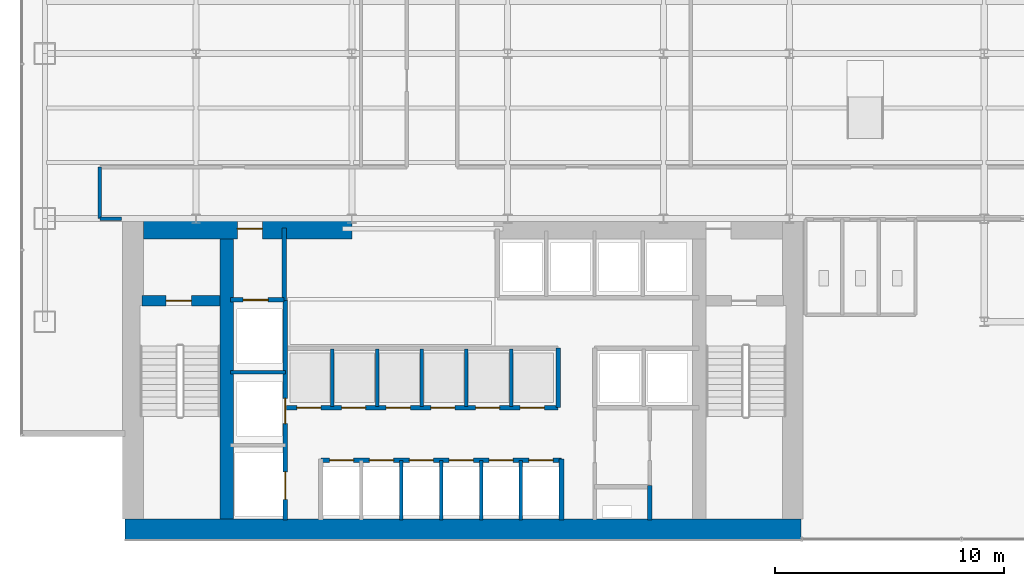
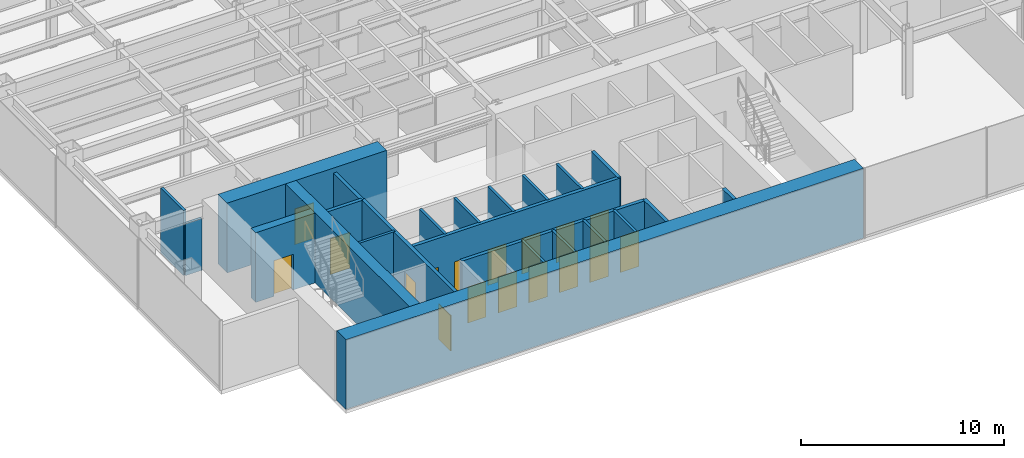
# One storey, part 28 of 35: 24 walls, 17 doors, 17 openings.
"""IFC4 building model written with IfcOpenShell, lengths in metres."""

from ifc_helpers import new_model, si_unit, derived_unit, direction, frame, frame_2d, origin, place, context, subcontext, project, spatial, rectangle, extrude, source, transform, mapped, material, layer, layer_set, type_object, element, fill, save


model = new_model("IFC4")

# Units and contexts
model_context = context("Model", 3, precision=1e-05, world=origin(), true_north=direction((0.0, 1.0)))
body_context = subcontext(model_context, "Body", "Model", "MODEL_VIEW")
ifc_project = project(units=[si_unit("LENGTHUNIT", "METRE"), si_unit("AREAUNIT", "SQUARE_METRE"), si_unit("VOLUMEUNIT", "CUBIC_METRE"), si_unit("PLANEANGLEUNIT", "RADIAN"), si_unit("MASSUNIT", "GRAM", prefix="KILO"), derived_unit("THERMALTRANSMITTANCEUNIT", [(si_unit("POWERUNIT", "WATT"), 1), (si_unit("LENGTHUNIT", "METRE"), -2), (si_unit("THERMODYNAMICTEMPERATUREUNIT", "KELVIN"), -1)])], contexts=[model_context])

# Site, building, storey
site_placement = place(None, origin())
site = spatial("IfcSite", under=ifc_project, at=site_placement, CompositionType="ELEMENT")
building_placement = place(site_placement, origin())
building = spatial("IfcBuilding", under=site, at=building_placement, Name="Skarnbrae Concourse Arena and Tower", CompositionType="ELEMENT")
storey_placement = place(building_placement, frame((0.0, 0.0, 79.949951171875)))
storey = spatial("IfcBuildingStorey", under=building, at=storey_placement, Name="L19", CompositionType="ELEMENT", Elevation=79.949951171875)

# Wall
ifc_material_1 = material(Name="Concrete 70 MPa (C70/85)", Category="concrete")
ifc_layer_1 = layer(ifc_material_1, 0.89990234375)
ifc_layer_set_1 = layer_set([ifc_layer_1], Name="Concrete 70 MPa (C70/85)")
wall_type_1 = type_object("IfcWallType", Name="WALL-CORE-900-C70", PredefinedType="SHEAR", material=ifc_layer_set_1)
shared_shape_1 = source(origin(), body_context, "Body", "SweptSolid", [
    extrude(rectangle(XDim=29.5, YDim=0.89990234375, at=frame_2d((14.75, 0.0))), origin(), (0.0, 0.0, 1.0), 4.199951171875),
])
wall_1_placement = place(storey_placement, frame((4.5, 0.449951171875, 0.0), z_axis=(0.0, 0.0, 1.0), x_axis=(1.0, 0.0, 0.0)))
element("IfcWall", 1, at=wall_1_placement, inside=storey, type_object=wall_type_1, Name="L19 Rear core shear wall CW-S", PredefinedType="SHEAR", context=body_context, shape_type="MappedRepresentation", body=[
    mapped(shared_shape_1, transform((0.0, 0.0, 0.0))),
])

# Wall, opening, door
shared_shape_2 = source(origin(), body_context, "Body", "SweptSolid", [
    extrude(rectangle(XDim=9.099853515625, YDim=0.89990234375, at=frame_2d((4.5498046875, 0.0))), origin(), (0.0, 0.0, 1.0), 4.199951171875),
])
wall_2_placement = place(storey_placement, frame((5.300048828125, 13.550048828125, 0.0), z_axis=(0.0, 0.0, 1.0), x_axis=(1.0, 0.0, 0.0)))
wall_2 = element("IfcWall", 2, at=wall_2_placement, inside=storey, type_object=wall_type_1, Name="L19 Rear core shear wall CW-NW", PredefinedType="SHEAR", context=body_context, shape_type="MappedRepresentation", body=[
    mapped(shared_shape_2, transform((0.0, 0.0, 0.0))),
])
opening_1_placement = place(wall_2_placement, frame((4.10009765625, 0.0, 0.0)))
opening_1 = element("IfcOpeningElement", 3, at=opening_1_placement, cuts=wall_2, Name="Opening DT-03", PredefinedType="OPENING", context=body_context, shape_type="SweptSolid", body=[
    extrude(rectangle(XDim=1.10009765625, YDim=2.14990234375, at=frame_2d((0.550048828125, 1.074951171875))), frame((0.0, 0.4599609375, 0.0), z_axis=(0.0, -1.0, 0.0), x_axis=(1.0, 0.0, 0.0)), (0.0, 0.0, 1.0), 0.919921875),
])
ifc_material_2 = material(Name="Steel CSA G40.21 350W", Category="steel")
door_type_1 = type_object("IfcDoorType", Name="DOOR-FIRE-1100-90M", OperationType="NOTDEFINED", PredefinedType="DOOR", material=ifc_material_2)
shared_shape_3 = source(origin(), body_context, "Body", "SweptSolid", [
    extrude(rectangle(XDim=1.10009765625, YDim=2.14990234375, at=frame_2d((0.550048828125, 1.074951171875))), frame((0.0, 0.02490234375, 0.0), z_axis=(0.0, -1.0, 0.0), x_axis=(1.0, 0.0, 0.0)), (0.0, 0.0, 1.0), 0.050048828125),
])
door_1_placement = place(opening_1_placement, origin())
door_1 = element("IfcDoor", 4, at=door_1_placement, inside=storey, type_object=door_type_1, Name="D-0689 Firefighting Lobby Exit Door", OperationType="SINGLE_SWING_RIGHT", OverallHeight=2.14990234375, OverallWidth=1.10009765625, PredefinedType="DOOR", context=body_context, shape_type="MappedRepresentation", body=[
    mapped(shared_shape_3, transform((0.0, 0.0, 0.0))),
])
fill(opening_1, door_1)

# Wall
ifc_layer_2 = layer(ifc_material_1, 0.60009765625)
ifc_layer_set_2 = layer_set([ifc_layer_2], Name="Concrete 70 MPa (C70/85)")
wall_type_2 = type_object("IfcWallType", Name="WALL-CORE-600-C70", PredefinedType="SHEAR", material=ifc_layer_set_2)
shared_shape_4 = source(origin(), body_context, "Body", "SweptSolid", [
    extrude(rectangle(XDim=12.2001953125, YDim=0.60009765625, at=frame_2d((6.10009765625, 0.0))), origin(), (0.0, 0.0, 1.0), 4.199951171875),
])
wall_3_placement = place(storey_placement, frame((8.93994140625, 0.89990234375, 0.0), z_axis=(0.0, 0.0, 1.0), x_axis=(0.0, 1.0, 0.0)))
element("IfcWall", 5, at=wall_3_placement, inside=storey, type_object=wall_type_2, Name="L19 Rear core shear wall CW-WEB-W", PredefinedType="SHEAR", context=body_context, shape_type="MappedRepresentation", body=[
    mapped(shared_shape_4, transform((0.0, 0.0, 0.0))),
])

# Wall, opening, door
ifc_material_3 = material(Name="Concrete 50 MPa (C50/60)", Category="concrete")
ifc_layer_3 = layer(ifc_material_3, 0.449951171875)
ifc_layer_set_3 = layer_set([ifc_layer_3], Name="Concrete 50 MPa (C50/60)")
wall_type_3 = type_object("IfcWallType", Name="WALL-CORE-450-C50", PredefinedType="SHEAR", material=ifc_layer_set_3)
shared_shape_5 = source(origin(), body_context, "Body", "SweptSolid", [
    extrude(rectangle(XDim=3.389892578125, YDim=0.449951171875, at=frame_2d((1.69482421875, 0.0))), origin(), (0.0, 0.0, 1.0), 4.199951171875),
])
wall_4_placement = place(storey_placement, frame((5.25, 10.419921875, 0.0), z_axis=(0.0, 0.0, 1.0), x_axis=(1.0, 0.0, 0.0)))
wall_4 = element("IfcWall", 6, at=wall_4_placement, inside=storey, type_object=wall_type_3, Name="L19 Rear core shear wall CW-ST1-N", PredefinedType="SHEAR", context=body_context, shape_type="MappedRepresentation", body=[
    mapped(shared_shape_5, transform((0.0, 0.0, 0.0))),
])
opening_2_placement = place(wall_4_placement, frame((1.050048828125, 0.0, 0.0)))
opening_2 = element("IfcOpeningElement", 7, at=opening_2_placement, cuts=wall_4, Name="Opening DT-03", PredefinedType="OPENING", context=body_context, shape_type="SweptSolid", body=[
    extrude(rectangle(XDim=1.10009765625, YDim=2.14990234375, at=frame_2d((0.550048828125, 1.074951171875))), frame((0.0, 0.23486328125, 0.0), z_axis=(0.0, -1.0, 0.0), x_axis=(1.0, 0.0, 0.0)), (0.0, 0.0, 1.0), 0.469970703125),
])
door_2_placement = place(opening_2_placement, frame((1.10009765625, 0.0, 0.0), z_axis=(0.0, 0.0, 1.0), x_axis=(-1.0, 0.0, 0.0)))
door_2 = element("IfcDoor", 8, at=door_2_placement, inside=storey, type_object=door_type_1, Name="D-0687 Stair ST-1 Door", OperationType="SINGLE_SWING_LEFT", OverallHeight=2.14990234375, OverallWidth=1.10009765625, PredefinedType="DOOR", context=body_context, shape_type="MappedRepresentation", body=[
    mapped(shared_shape_3, transform((0.0, 0.0, 0.0))),
])
fill(opening_2, door_2)

# Wall
ifc_material_4 = material(Name="Gypsum board on cold-formed steel studs", Category="steel")
ifc_layer_4 = layer(ifc_material_4, 0.199951171875)
ifc_layer_set_4 = layer_set([ifc_layer_4], Name="Gypsum board on cold-formed steel studs")
wall_type_4 = type_object("IfcWallType", Name="WALL-PART-200-2HR", PredefinedType="PARTITIONING", material=ifc_layer_set_4)
shared_shape_6 = source(origin(), body_context, "Body", "SweptSolid", [
    extrude(rectangle(XDim=3.18017578125, YDim=0.199951171875, at=frame_2d((1.590087890625, 0.0))), origin(), (0.0, 0.0, 1.0), 3.900146484375),
])
wall_5_placement = place(storey_placement, frame((11.449951171875, 10.419921875, 0.0), z_axis=(0.0, 0.0, 1.0), x_axis=(0.0, 1.0, 0.0)))
element("IfcWall", 9, at=wall_5_placement, inside=storey, type_object=wall_type_4, Name="L19 Interior partition wall W-L19-FFL-E", PredefinedType="PARTITIONING", context=body_context, shape_type="MappedRepresentation", body=[
    mapped(shared_shape_6, transform((0.0, 0.0, 0.0))),
])

# Wall, opening, door
shared_shape_7 = source(origin(), body_context, "Body", "SweptSolid", [
    extrude(rectangle(XDim=2.349853515625, YDim=0.199951171875, at=frame_2d((1.1748046875, 0.0))), origin(), (0.0, 0.0, 1.0), 3.900146484375),
])
wall_6_placement = place(storey_placement, frame((9.10009765625, 10.449951171875, 0.0), z_axis=(0.0, 0.0, 1.0), x_axis=(1.0, 0.0, 0.0)))
wall_6 = element("IfcWall", 10, at=wall_6_placement, inside=storey, type_object=wall_type_4, Name="L19 Interior partition wall W-L19-FL1-N", PredefinedType="PARTITIONING", context=body_context, shape_type="MappedRepresentation", body=[
    mapped(shared_shape_7, transform((0.0, 0.0, 0.0))),
])
opening_3_placement = place(wall_6_placement, frame((0.550048828125, 0.0, 0.0)))
opening_3 = element("IfcOpeningElement", 11, at=opening_3_placement, cuts=wall_6, Name="Opening LD-01", PredefinedType="OPENING", context=body_context, shape_type="SweptSolid", body=[
    extrude(rectangle(XDim=1.10009765625, YDim=2.14990234375, at=frame_2d((0.550048828125, 1.074951171875))), frame((0.0, 0.10986328125, 0.0), z_axis=(0.0, -1.0, 0.0), x_axis=(1.0, 0.0, 0.0)), (0.0, 0.0, 1.0), 0.219970703125),
])
door_type_2 = type_object("IfcDoorType", Name="DOOR-LIFT-SLIDE-1100", OperationType="SLIDING_TO_LEFT", PredefinedType="DOOR", material=ifc_material_2)
door_3_placement = place(opening_3_placement, origin())
door_3 = element("IfcDoor", 12, at=door_3_placement, inside=storey, type_object=door_type_2, Name="D-0691 Firefighting Lift Landing Door FL-01", OperationType="SLIDING_TO_LEFT", OverallHeight=2.14990234375, OverallWidth=1.10009765625, PredefinedType="DOOR", context=body_context, shape_type="MappedRepresentation", body=[
    mapped(shared_shape_3, transform((0.0, 0.0, 0.0))),
])
fill(opening_3, door_3)

# Wall, openings, doors
shared_shape_8 = source(origin(), body_context, "Body", "SweptSolid", [
    extrude(rectangle(XDim=9.599853515625, YDim=0.199951171875, at=frame_2d((4.7998046875, 0.0))), origin(), (0.0, 0.0, 1.0), 3.900146484375),
])
wall_7_placement = place(storey_placement, frame((11.5, 0.85009765625, 0.0), z_axis=(0.0, 0.0, 1.0), x_axis=(0.0, 1.0, 0.0)))
wall_7 = element("IfcWall", 13, at=wall_7_placement, inside=storey, type_object=wall_type_4, Name="L19 Interior partition wall W-L19-FL-E", PredefinedType="PARTITIONING", context=body_context, shape_type="MappedRepresentation", body=[
    mapped(shared_shape_8, transform((0.0, 0.0, 0.0))),
])
opening_4_placement = place(wall_7_placement, frame((4.199951171875, 0.0, 0.0)))
opening_4 = element("IfcOpeningElement", 14, at=opening_4_placement, cuts=wall_7, Name="Opening LD-01", PredefinedType="OPENING", context=body_context, shape_type="SweptSolid", body=[
    extrude(rectangle(XDim=1.10009765625, YDim=2.14990234375, at=frame_2d((0.550048828125, 1.074951171875))), frame((0.0, 0.10986328125, 0.0), z_axis=(0.0, -1.0, 0.0), x_axis=(1.0, 0.0, 0.0)), (0.0, 0.0, 1.0), 0.219970703125),
])
opening_5_placement = place(wall_7_placement, frame((0.89990234375, 0.0, 0.0)))
opening_5 = element("IfcOpeningElement", 15, at=opening_5_placement, cuts=wall_7, Name="Opening LD-02", PredefinedType="OPENING", context=body_context, shape_type="SweptSolid", body=[
    extrude(rectangle(XDim=1.199951171875, YDim=2.14990234375, at=frame_2d((0.60009765625, 1.074951171875))), frame((0.0, 0.10986328125, 0.0), z_axis=(0.0, -1.0, 0.0), x_axis=(1.0, 0.0, 0.0)), (0.0, 0.0, 1.0), 0.219970703125),
])
door_4_placement = place(opening_4_placement, frame((1.10009765625, 0.0, 0.0), z_axis=(0.0, 0.0, 1.0), x_axis=(-1.0, 0.0, 0.0)))
door_4 = element("IfcDoor", 16, at=door_4_placement, inside=storey, type_object=door_type_2, Name="D-0692 Firefighting Lift Landing Door FL-02", OperationType="SLIDING_TO_LEFT", OverallHeight=2.14990234375, OverallWidth=1.10009765625, PredefinedType="DOOR", context=body_context, shape_type="MappedRepresentation", body=[
    mapped(shared_shape_3, transform((0.0, 0.0, 0.0))),
])
fill(opening_4, door_4)
door_type_3 = type_object("IfcDoorType", Name="DOOR-LIFT-SLIDE-1200", OperationType="SLIDING_TO_LEFT", PredefinedType="DOOR", material=ifc_material_2)
shared_shape_9 = source(origin(), body_context, "Body", "SweptSolid", [
    extrude(rectangle(XDim=1.199951171875, YDim=2.14990234375, at=frame_2d((0.60009765625, 1.074951171875))), frame((0.0, 0.02490234375, 0.0), z_axis=(0.0, -1.0, 0.0), x_axis=(1.0, 0.0, 0.0)), (0.0, 0.0, 1.0), 0.050048828125),
])
door_5_placement = place(opening_5_placement, frame((1.199951171875, 0.0, 0.0), z_axis=(0.0, 0.0, 1.0), x_axis=(-1.0, 0.0, 0.0)))
door_5 = element("IfcDoor", 17, at=door_5_placement, inside=storey, type_object=door_type_3, Name="D-0693 Service Lift Landing Door SV-01", OperationType="SLIDING_TO_LEFT", OverallHeight=2.14990234375, OverallWidth=1.199951171875, PredefinedType="DOOR", context=body_context, shape_type="MappedRepresentation", body=[
    mapped(shared_shape_9, transform((0.0, 0.0, 0.0))),
])
fill(opening_5, door_5)

# Walls
ifc_layer_5 = layer(ifc_material_4, 0.14990234375)
ifc_layer_set_5 = layer_set([ifc_layer_5], Name="Gypsum board on cold-formed steel studs")
wall_type_5 = type_object("IfcWallType", Name="WALL-PART-150", PredefinedType="PARTITIONING", material=ifc_layer_set_5)
shared_shape_10 = source(origin(), body_context, "Body", "SweptSolid", [
    extrude(rectangle(XDim=2.39990234375, YDim=0.14990234375, at=frame_2d((1.199951171875, 0.0))), origin(), (0.0, 0.0, 1.0), 3.900146484375),
])
wall_8_placement = place(storey_placement, frame((9.10009765625, 7.300048828125, 0.0), z_axis=(0.0, 0.0, 1.0), x_axis=(1.0, 0.0, 0.0)))
element("IfcWall", 18, at=wall_8_placement, inside=storey, type_object=wall_type_5, Name="L19 Interior partition wall W-L19-FL-D2", PredefinedType="PARTITIONING", context=body_context, shape_type="MappedRepresentation", body=[
    mapped(shared_shape_10, transform((0.0, 0.0, 0.0))),
])
shared_shape_11 = source(origin(), body_context, "Body", "SweptSolid", [
    extrude(rectangle(XDim=2.64990234375, YDim=0.199951171875, at=frame_2d((1.324951171875, 0.0))), origin(), (0.0, 0.0, 1.0), 3.900146484375),
])
wall_9_placement = place(storey_placement, frame((23.550048828125, 0.85009765625, 0.0), z_axis=(0.0, 0.0, 1.0), x_axis=(0.0, 1.0, 0.0)))
element("IfcWall", 19, at=wall_9_placement, inside=storey, type_object=wall_type_4, Name="L19 Interior partition wall W-L19-B1-E", PredefinedType="PARTITIONING", context=body_context, shape_type="MappedRepresentation", body=[
    mapped(shared_shape_11, transform((0.0, 0.0, 0.0))),
])

# Wall, openings, doors
shared_shape_12 = source(origin(), body_context, "Body", "SweptSolid", [
    extrude(rectangle(XDim=10.5, YDim=0.199951171875, at=frame_2d((5.25, 0.0))), origin(), (0.0, 0.0, 1.0), 3.900146484375),
])
wall_10_placement = place(storey_placement, frame((13.050048828125, 3.449951171875, 0.0), z_axis=(0.0, 0.0, 1.0), x_axis=(1.0, 0.0, 0.0)))
wall_10 = element("IfcWall", 20, at=wall_10_placement, inside=storey, type_object=wall_type_4, Name="L19 Interior partition wall W-L19-B1-N", PredefinedType="PARTITIONING", context=body_context, shape_type="MappedRepresentation", body=[
    mapped(shared_shape_12, transform((0.0, 0.0, 0.0))),
])
opening_6_placement = place(wall_10_placement, frame((0.3798828125, 0.0, 0.0)))
opening_6 = element("IfcOpeningElement", 21, at=opening_6_placement, cuts=wall_10, Name="Opening LD-03", PredefinedType="OPENING", context=body_context, shape_type="SweptSolid", body=[
    extrude(rectangle(XDim=1.050048828125, YDim=2.14990234375, at=frame_2d((0.52490234375, 1.074951171875))), frame((0.0, 0.10986328125, 0.0), z_axis=(0.0, -1.0, 0.0), x_axis=(1.0, 0.0, 0.0)), (0.0, 0.0, 1.0), 0.219970703125),
])
opening_7_placement = place(wall_10_placement, frame((2.1201171875, 0.0, 0.0)))
opening_7 = element("IfcOpeningElement", 22, at=opening_7_placement, cuts=wall_10, Name="Opening LD-03", PredefinedType="OPENING", context=body_context, shape_type="SweptSolid", body=[
    extrude(rectangle(XDim=1.050048828125, YDim=2.14990234375, at=frame_2d((0.52490234375, 1.074951171875))), frame((0.0, 0.10986328125, 0.0), z_axis=(0.0, -1.0, 0.0), x_axis=(1.0, 0.0, 0.0)), (0.0, 0.0, 1.0), 0.219970703125),
])
opening_8_placement = place(wall_10_placement, frame((3.860107421875, 0.0, 0.0)))
opening_8 = element("IfcOpeningElement", 23, at=opening_8_placement, cuts=wall_10, Name="Opening LD-03", PredefinedType="OPENING", context=body_context, shape_type="SweptSolid", body=[
    extrude(rectangle(XDim=1.050048828125, YDim=2.14990234375, at=frame_2d((0.52490234375, 1.074951171875))), frame((0.0, 0.10986328125, 0.0), z_axis=(0.0, -1.0, 0.0), x_axis=(1.0, 0.0, 0.0)), (0.0, 0.0, 1.0), 0.219970703125),
])
opening_9_placement = place(wall_10_placement, frame((5.60009765625, 0.0, 0.0)))
opening_9 = element("IfcOpeningElement", 24, at=opening_9_placement, cuts=wall_10, Name="Opening LD-03", PredefinedType="OPENING", context=body_context, shape_type="SweptSolid", body=[
    extrude(rectangle(XDim=1.050048828125, YDim=2.14990234375, at=frame_2d((0.52490234375, 1.074951171875))), frame((0.0, 0.10986328125, 0.0), z_axis=(0.0, -1.0, 0.0), x_axis=(1.0, 0.0, 0.0)), (0.0, 0.0, 1.0), 0.219970703125),
])
opening_10_placement = place(wall_10_placement, frame((7.340087890625, 0.0, 0.0)))
opening_10 = element("IfcOpeningElement", 25, at=opening_10_placement, cuts=wall_10, Name="Opening LD-03", PredefinedType="OPENING", context=body_context, shape_type="SweptSolid", body=[
    extrude(rectangle(XDim=1.050048828125, YDim=2.14990234375, at=frame_2d((0.52490234375, 1.074951171875))), frame((0.0, 0.10986328125, 0.0), z_axis=(0.0, -1.0, 0.0), x_axis=(1.0, 0.0, 0.0)), (0.0, 0.0, 1.0), 0.219970703125),
])
opening_11_placement = place(wall_10_placement, frame((9.080078125, 0.0, 0.0)))
opening_11 = element("IfcOpeningElement", 26, at=opening_11_placement, cuts=wall_10, Name="Opening LD-03", PredefinedType="OPENING", context=body_context, shape_type="SweptSolid", body=[
    extrude(rectangle(XDim=1.050048828125, YDim=2.14990234375, at=frame_2d((0.52490234375, 1.074951171875))), frame((0.0, 0.10986328125, 0.0), z_axis=(0.0, -1.0, 0.0), x_axis=(1.0, 0.0, 0.0)), (0.0, 0.0, 1.0), 0.219970703125),
])
ifc_material_5 = material(Name="Bronze anodised aluminium 6063-T6", Category="aluminium")
door_type_4 = type_object("IfcDoorType", Name="DOOR-LIFT-SLIDE-1050", OperationType="SLIDING_TO_LEFT", PredefinedType="DOOR", material=ifc_material_5)
shared_shape_13 = source(origin(), body_context, "Body", "SweptSolid", [
    extrude(rectangle(XDim=1.050048828125, YDim=2.14990234375, at=frame_2d((0.52490234375, 1.074951171875))), frame((0.0, 0.02490234375, 0.0), z_axis=(0.0, -1.0, 0.0), x_axis=(1.0, 0.0, 0.0)), (0.0, 0.0, 1.0), 0.050048828125),
])
door_6_placement = place(opening_6_placement, origin())
door_6 = element("IfcDoor", 27, at=door_6_placement, inside=storey, type_object=door_type_4, Name="D-0694 Passenger Lift Landing Door PL-1A", OperationType="SLIDING_TO_LEFT", OverallHeight=2.14990234375, OverallWidth=1.050048828125, PredefinedType="DOOR", context=body_context, shape_type="MappedRepresentation", body=[
    mapped(shared_shape_13, transform((0.0, 0.0, 0.0))),
])
fill(opening_6, door_6)
door_7_placement = place(opening_7_placement, origin())
door_7 = element("IfcDoor", 28, at=door_7_placement, inside=storey, type_object=door_type_4, Name="D-0695 Passenger Lift Landing Door PL-1B", OperationType="SLIDING_TO_LEFT", OverallHeight=2.14990234375, OverallWidth=1.050048828125, PredefinedType="DOOR", context=body_context, shape_type="MappedRepresentation", body=[
    mapped(shared_shape_13, transform((0.0, 0.0, 0.0))),
])
fill(opening_7, door_7)
door_8_placement = place(opening_8_placement, origin())
door_8 = element("IfcDoor", 29, at=door_8_placement, inside=storey, type_object=door_type_4, Name="D-0696 Passenger Lift Landing Door PL-1C", OperationType="SLIDING_TO_LEFT", OverallHeight=2.14990234375, OverallWidth=1.050048828125, PredefinedType="DOOR", context=body_context, shape_type="MappedRepresentation", body=[
    mapped(shared_shape_13, transform((0.0, 0.0, 0.0))),
])
fill(opening_8, door_8)
door_9_placement = place(opening_9_placement, origin())
door_9 = element("IfcDoor", 30, at=door_9_placement, inside=storey, type_object=door_type_4, Name="D-0697 Passenger Lift Landing Door PL-1D", OperationType="SLIDING_TO_LEFT", OverallHeight=2.14990234375, OverallWidth=1.050048828125, PredefinedType="DOOR", context=body_context, shape_type="MappedRepresentation", body=[
    mapped(shared_shape_13, transform((0.0, 0.0, 0.0))),
])
fill(opening_9, door_9)
door_10_placement = place(opening_10_placement, origin())
door_10 = element("IfcDoor", 31, at=door_10_placement, inside=storey, type_object=door_type_4, Name="D-0698 Passenger Lift Landing Door PL-1E", OperationType="SLIDING_TO_LEFT", OverallHeight=2.14990234375, OverallWidth=1.050048828125, PredefinedType="DOOR", context=body_context, shape_type="MappedRepresentation", body=[
    mapped(shared_shape_13, transform((0.0, 0.0, 0.0))),
])
fill(opening_10, door_10)
door_11_placement = place(opening_11_placement, origin())
door_11 = element("IfcDoor", 32, at=door_11_placement, inside=storey, type_object=door_type_4, Name="D-0699 Passenger Lift Landing Door PL-1F", OperationType="SLIDING_TO_LEFT", OverallHeight=2.14990234375, OverallWidth=1.050048828125, PredefinedType="DOOR", context=body_context, shape_type="MappedRepresentation", body=[
    mapped(shared_shape_13, transform((0.0, 0.0, 0.0))),
])
fill(opening_11, door_11)

# Walls
shared_shape_14 = source(origin(), body_context, "Body", "SweptSolid", [
    extrude(rectangle(XDim=2.599853515625, YDim=0.14990234375, at=frame_2d((1.2998046875, 0.0))), origin(), (0.0, 0.0, 1.0), 3.900146484375),
])
for number, where, z_axis, x_axis, name in (
    (33, (16.56005859375, 0.85009765625, 0.0), (0.0, 0.0, 1.0), (0.0, 1.0, 0.0), "L19 Interior partition wall W-L19-B1-P2"),
    (34, (18.300048828125, 0.85009765625, 0.0), (0.0, 0.0, 1.0), (0.0, 1.0, 0.0), "L19 Interior partition wall W-L19-B1-P3"),
    (35, (20.0400390625, 0.85009765625, 0.0), (0.0, 0.0, 1.0), (0.0, 1.0, 0.0), "L19 Interior partition wall W-L19-B1-P4"),
    (36, (21.780029296875, 0.85009765625, 0.0), (0.0, 0.0, 1.0), (0.0, 1.0, 0.0), "L19 Interior partition wall W-L19-B1-P5"),
):
    element("IfcWall", number, at=place(storey_placement, frame(where, z_axis=z_axis, x_axis=x_axis)), inside=storey, type_object=wall_type_5, Name=name, PredefinedType="PARTITIONING", context=body_context, shape_type="MappedRepresentation", body=[
        mapped(shared_shape_14, transform((0.0, 0.0, 0.0))),
    ])

# Wall, openings, doors
shared_shape_15 = source(origin(), body_context, "Body", "SweptSolid", [
    extrude(rectangle(XDim=11.849853515625, YDim=0.199951171875, at=frame_2d((5.9248046875, 0.0))), origin(), (0.0, 0.0, 1.0), 3.900146484375),
])
wall_11_placement = place(storey_placement, frame((11.550048828125, 5.75, 0.0), z_axis=(0.0, 0.0, 1.0), x_axis=(1.0, 0.0, 0.0)))
wall_11 = element("IfcWall", 37, at=wall_11_placement, inside=storey, type_object=wall_type_4, Name="L19 Interior partition wall W-L19-B2-S", PredefinedType="PARTITIONING", context=body_context, shape_type="MappedRepresentation", body=[
    mapped(shared_shape_15, transform((0.0, 0.0, 0.0))),
])
opening_12_placement = place(wall_11_placement, frame((0.449951171875, 0.0, 0.0)))
opening_12 = element("IfcOpeningElement", 38, at=opening_12_placement, cuts=wall_11, Name="Opening LD-03", PredefinedType="OPENING", context=body_context, shape_type="SweptSolid", body=[
    extrude(rectangle(XDim=1.050048828125, YDim=2.14990234375, at=frame_2d((0.52490234375, 1.074951171875))), frame((0.0, 0.10986328125, 0.0), z_axis=(0.0, -1.0, 0.0), x_axis=(1.0, 0.0, 0.0)), (0.0, 0.0, 1.0), 0.219970703125),
])
opening_13_placement = place(wall_11_placement, frame((2.39990234375, 0.0, 0.0)))
opening_13 = element("IfcOpeningElement", 39, at=opening_13_placement, cuts=wall_11, Name="Opening LD-03", PredefinedType="OPENING", context=body_context, shape_type="SweptSolid", body=[
    extrude(rectangle(XDim=1.050048828125, YDim=2.14990234375, at=frame_2d((0.52490234375, 1.074951171875))), frame((0.0, 0.10986328125, 0.0), z_axis=(0.0, -1.0, 0.0), x_axis=(1.0, 0.0, 0.0)), (0.0, 0.0, 1.0), 0.219970703125),
])
opening_14_placement = place(wall_11_placement, frame((4.35009765625, 0.0, 0.0)))
opening_14 = element("IfcOpeningElement", 40, at=opening_14_placement, cuts=wall_11, Name="Opening LD-03", PredefinedType="OPENING", context=body_context, shape_type="SweptSolid", body=[
    extrude(rectangle(XDim=1.050048828125, YDim=2.14990234375, at=frame_2d((0.52490234375, 1.074951171875))), frame((0.0, 0.10986328125, 0.0), z_axis=(0.0, -1.0, 0.0), x_axis=(1.0, 0.0, 0.0)), (0.0, 0.0, 1.0), 0.219970703125),
])
opening_15_placement = place(wall_11_placement, frame((6.300048828125, 0.0, 0.0)))
opening_15 = element("IfcOpeningElement", 41, at=opening_15_placement, cuts=wall_11, Name="Opening LD-03", PredefinedType="OPENING", context=body_context, shape_type="SweptSolid", body=[
    extrude(rectangle(XDim=1.050048828125, YDim=2.14990234375, at=frame_2d((0.52490234375, 1.074951171875))), frame((0.0, 0.10986328125, 0.0), z_axis=(0.0, -1.0, 0.0), x_axis=(1.0, 0.0, 0.0)), (0.0, 0.0, 1.0), 0.219970703125),
])
opening_16_placement = place(wall_11_placement, frame((8.25, 0.0, 0.0)))
opening_16 = element("IfcOpeningElement", 42, at=opening_16_placement, cuts=wall_11, Name="Opening LD-03", PredefinedType="OPENING", context=body_context, shape_type="SweptSolid", body=[
    extrude(rectangle(XDim=1.050048828125, YDim=2.14990234375, at=frame_2d((0.52490234375, 1.074951171875))), frame((0.0, 0.10986328125, 0.0), z_axis=(0.0, -1.0, 0.0), x_axis=(1.0, 0.0, 0.0)), (0.0, 0.0, 1.0), 0.219970703125),
])
opening_17_placement = place(wall_11_placement, frame((10.199951171875, 0.0, 0.0)))
opening_17 = element("IfcOpeningElement", 43, at=opening_17_placement, cuts=wall_11, Name="Opening LD-03", PredefinedType="OPENING", context=body_context, shape_type="SweptSolid", body=[
    extrude(rectangle(XDim=1.050048828125, YDim=2.14990234375, at=frame_2d((0.52490234375, 1.074951171875))), frame((0.0, 0.10986328125, 0.0), z_axis=(0.0, -1.0, 0.0), x_axis=(1.0, 0.0, 0.0)), (0.0, 0.0, 1.0), 0.219970703125),
])
door_12_placement = place(opening_12_placement, frame((1.050048828125, 0.0, 0.0), z_axis=(0.0, 0.0, 1.0), x_axis=(-1.0, 0.0, 0.0)))
door_12 = element("IfcDoor", 44, at=door_12_placement, inside=storey, type_object=door_type_4, Name="D-0700 Passenger Lift Landing Door PL-2A", OperationType="SLIDING_TO_LEFT", OverallHeight=2.14990234375, OverallWidth=1.050048828125, PredefinedType="DOOR", context=body_context, shape_type="MappedRepresentation", body=[
    mapped(shared_shape_13, transform((0.0, 0.0, 0.0))),
])
fill(opening_12, door_12)
door_13_placement = place(opening_13_placement, frame((1.050048828125, 0.0, 0.0), z_axis=(0.0, 0.0, 1.0), x_axis=(-1.0, 0.0, 0.0)))
door_13 = element("IfcDoor", 45, at=door_13_placement, inside=storey, type_object=door_type_4, Name="D-0701 Passenger Lift Landing Door PL-2B", OperationType="SLIDING_TO_LEFT", OverallHeight=2.14990234375, OverallWidth=1.050048828125, PredefinedType="DOOR", context=body_context, shape_type="MappedRepresentation", body=[
    mapped(shared_shape_13, transform((0.0, 0.0, 0.0))),
])
fill(opening_13, door_13)
door_14_placement = place(opening_14_placement, frame((1.050048828125, 0.0, 0.0), z_axis=(0.0, 0.0, 1.0), x_axis=(-1.0, 0.0, 0.0)))
door_14 = element("IfcDoor", 46, at=door_14_placement, inside=storey, type_object=door_type_4, Name="D-0702 Passenger Lift Landing Door PL-2C", OperationType="SLIDING_TO_LEFT", OverallHeight=2.14990234375, OverallWidth=1.050048828125, PredefinedType="DOOR", context=body_context, shape_type="MappedRepresentation", body=[
    mapped(shared_shape_13, transform((0.0, 0.0, 0.0))),
])
fill(opening_14, door_14)
door_15_placement = place(opening_15_placement, frame((1.050048828125, 0.0, 0.0), z_axis=(0.0, 0.0, 1.0), x_axis=(-1.0, 0.0, 0.0)))
door_15 = element("IfcDoor", 47, at=door_15_placement, inside=storey, type_object=door_type_4, Name="D-0703 Passenger Lift Landing Door PL-2D", OperationType="SLIDING_TO_LEFT", OverallHeight=2.14990234375, OverallWidth=1.050048828125, PredefinedType="DOOR", context=body_context, shape_type="MappedRepresentation", body=[
    mapped(shared_shape_13, transform((0.0, 0.0, 0.0))),
])
fill(opening_15, door_15)
door_16_placement = place(opening_16_placement, frame((1.050048828125, 0.0, 0.0), z_axis=(0.0, 0.0, 1.0), x_axis=(-1.0, 0.0, 0.0)))
door_16 = element("IfcDoor", 48, at=door_16_placement, inside=storey, type_object=door_type_4, Name="D-0704 Passenger Lift Landing Door PL-2E", OperationType="SLIDING_TO_LEFT", OverallHeight=2.14990234375, OverallWidth=1.050048828125, PredefinedType="DOOR", context=body_context, shape_type="MappedRepresentation", body=[
    mapped(shared_shape_13, transform((0.0, 0.0, 0.0))),
])
fill(opening_16, door_16)
door_17_placement = place(opening_17_placement, frame((1.050048828125, 0.0, 0.0), z_axis=(0.0, 0.0, 1.0), x_axis=(-1.0, 0.0, 0.0)))
door_17 = element("IfcDoor", 49, at=door_17_placement, inside=storey, type_object=door_type_4, Name="D-0705 Passenger Lift Landing Door PL-2F", OperationType="SLIDING_TO_LEFT", OverallHeight=2.14990234375, OverallWidth=1.050048828125, PredefinedType="DOOR", context=body_context, shape_type="MappedRepresentation", body=[
    mapped(shared_shape_13, transform((0.0, 0.0, 0.0))),
])
fill(opening_17, door_17)

# Walls
shared_shape_16 = source(origin(), body_context, "Body", "SweptSolid", [
    extrude(rectangle(XDim=2.60009765625, YDim=0.199951171875, at=frame_2d((1.300048828125, 0.0))), origin(), (0.0, 0.0, 1.0), 3.900146484375),
])
wall_12_placement = place(storey_placement, frame((23.39990234375, 5.75, 0.0), z_axis=(0.0, 0.0, 1.0), x_axis=(0.0, 1.0, 0.0)))
element("IfcWall", 50, at=wall_12_placement, inside=storey, type_object=wall_type_4, Name="L19 Interior partition wall W-L19-B2-E", PredefinedType="PARTITIONING", context=body_context, shape_type="MappedRepresentation", body=[
    mapped(shared_shape_16, transform((0.0, 0.0, 0.0))),
])
shared_shape_17 = source(origin(), body_context, "Body", "SweptSolid", [
    extrude(rectangle(XDim=2.5, YDim=0.14990234375, at=frame_2d((1.25, 0.0))), origin(), (0.0, 0.0, 1.0), 3.900146484375),
])
for number, where, z_axis, x_axis, name in (
    (51, (13.550048828125, 5.800048828125, 0.0), (0.0, 0.0, 1.0), (0.0, 1.0, 0.0), "L19 Interior partition wall W-L19-B2-P1"),
    (52, (15.5, 5.800048828125, 0.0), (0.0, 0.0, 1.0), (0.0, 1.0, 0.0), "L19 Interior partition wall W-L19-B2-P2"),
    (53, (17.449951171875, 5.800048828125, 0.0), (0.0, 0.0, 1.0), (0.0, 1.0, 0.0), "L19 Interior partition wall W-L19-B2-P3"),
    (54, (19.39990234375, 5.800048828125, 0.0), (0.0, 0.0, 1.0), (0.0, 1.0, 0.0), "L19 Interior partition wall W-L19-B2-P4"),
    (55, (21.35009765625, 5.800048828125, 0.0), (0.0, 0.0, 1.0), (0.0, 1.0, 0.0), "L19 Interior partition wall W-L19-B2-P5"),
):
    element("IfcWall", number, at=place(storey_placement, frame(where, z_axis=z_axis, x_axis=x_axis)), inside=storey, type_object=wall_type_5, Name=name, PredefinedType="PARTITIONING", context=body_context, shape_type="MappedRepresentation", body=[
        mapped(shared_shape_17, transform((0.0, 0.0, 0.0))),
    ])
shared_shape_18 = source(origin(), body_context, "Body", "SweptSolid", [
    extrude(rectangle(XDim=1.5, YDim=0.199951171875, at=frame_2d((0.75, 0.0))), origin(), (0.0, 0.0, 1.0), 3.900146484375),
])
wall_13_placement = place(storey_placement, frame((27.39990234375, 0.85009765625, 0.0), z_axis=(0.0, 0.0, 1.0), x_axis=(0.0, 1.0, 0.0)))
element("IfcWall", 56, at=wall_13_placement, inside=storey, type_object=wall_type_4, Name="L19 Interior partition wall W-L19-MEP-E", PredefinedType="PARTITIONING", context=body_context, shape_type="MappedRepresentation", body=[
    mapped(shared_shape_18, transform((0.0, 0.0, 0.0))),
])
ifc_layer_6 = layer(ifc_material_4, 0.14990234375)
ifc_layer_set_6 = layer_set([ifc_layer_6], Name="Gypsum board on cold-formed steel studs")
wall_type_6 = type_object("IfcWallType", Name="WALL-PART-150-1HR", PredefinedType="PARTITIONING", material=ifc_layer_set_6)
shared_shape_19 = source(origin(), body_context, "Body", "SweptSolid", [
    extrude(rectangle(XDim=0.9501953125, YDim=0.14990234375, at=frame_2d((0.47509765625, 0.0))), origin(), (0.0, 0.0, 1.0), 3.125),
])
wall_14_placement = place(storey_placement, frame((4.35009765625, 14.0, 0.0), z_axis=(0.0, 0.0, 1.0), x_axis=(-1.0, 0.0, 0.0)))
element("IfcWall", 57, at=wall_14_placement, inside=storey, type_object=wall_type_6, Name="L19 Interior partition wall W-L19-COR-01", PredefinedType="PARTITIONING", context=body_context, shape_type="MappedRepresentation", body=[
    mapped(shared_shape_19, transform((0.0, 0.0, 0.0))),
])
shared_shape_20 = source(origin(), body_context, "Body", "SweptSolid", [
    extrude(rectangle(XDim=2.25, YDim=0.14990234375, at=frame_2d((1.125, 0.0))), origin(), (0.0, 0.0, 1.0), 3.900146484375),
])
wall_15_placement = place(storey_placement, frame((3.39990234375, 14.0, 0.0), z_axis=(0.0, 0.0, 1.0), x_axis=(0.0, 1.0, 0.0)))
element("IfcWall", 58, at=wall_15_placement, inside=storey, type_object=wall_type_6, Name="L19 Interior partition wall W-L19-COR-02", PredefinedType="PARTITIONING", context=body_context, shape_type="MappedRepresentation", body=[
    mapped(shared_shape_20, transform((0.0, 0.0, 0.0))),
])

save(model, "model.ifc")
